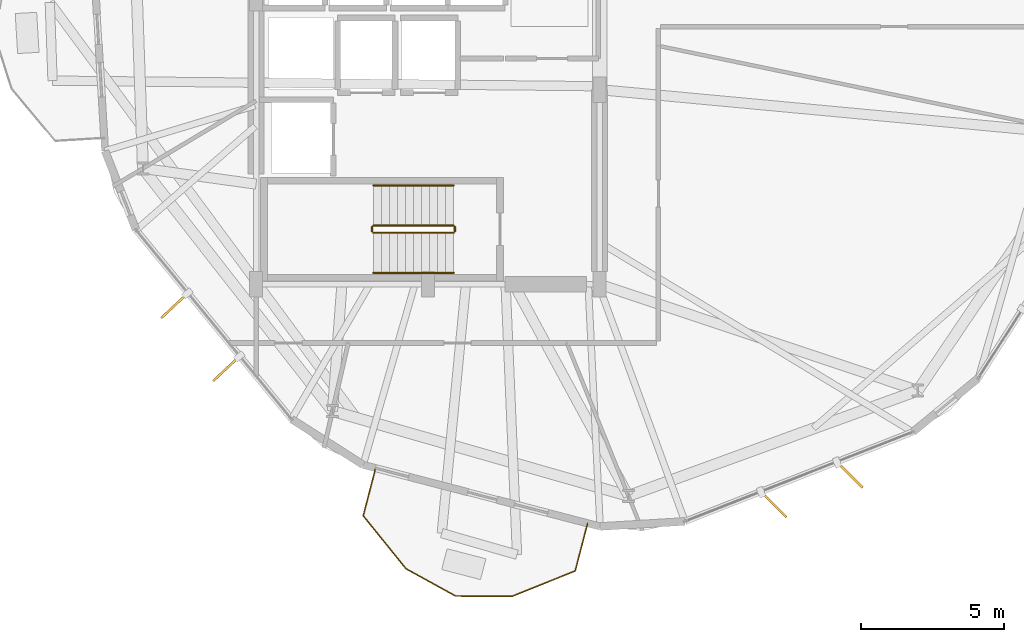
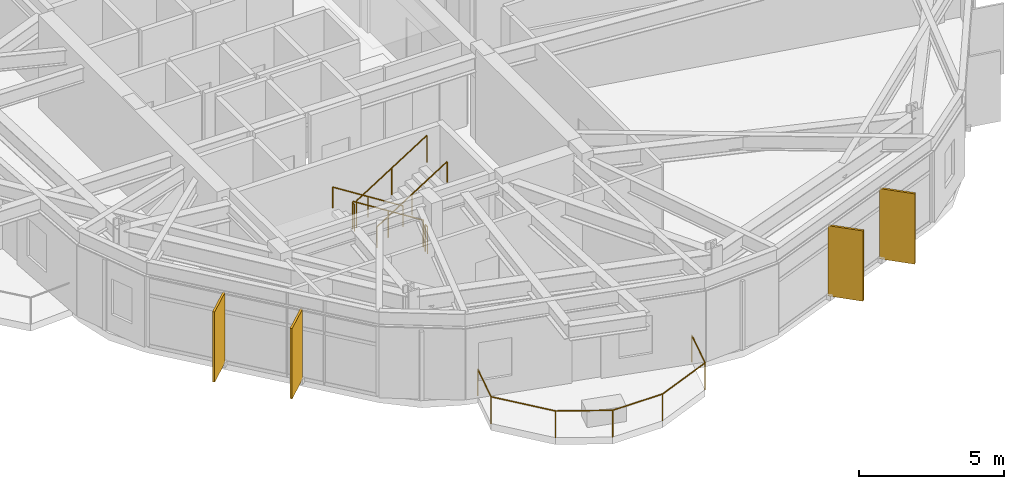
# One storey, part 20 of 22: 7 railings, 4 shading devices.
"""IFC4 building model written with IfcOpenShell, lengths in metres."""

from ifc_helpers import new_model, si_unit, direction, frame, origin, origin_2d, place, context, subcontext, project, spatial, rectangle, circle, extrude, material, layer, layer_set, type_object, element, save


model = new_model("IFC4")

# Units and contexts
model_context = context("Model", 3, precision=1e-05, world=origin(), true_north=direction((0.0, 1.0)))
body_context = subcontext(model_context, "Body", "Model", "MODEL_VIEW")
ifc_project = project(units=[si_unit("LENGTHUNIT", "METRE"), si_unit("AREAUNIT", "SQUARE_METRE"), si_unit("VOLUMEUNIT", "CUBIC_METRE"), si_unit("PLANEANGLEUNIT", "RADIAN"), si_unit("MASSUNIT", "GRAM", prefix="KILO")], contexts=[model_context])

# Site, building, storey
site_placement = place(None, origin())
site = spatial("IfcSite", under=ifc_project, at=site_placement, CompositionType="ELEMENT")
building_placement = place(site_placement, origin())
building = spatial("IfcBuilding", under=site, at=building_placement, Name="Soratama Intermodal Tower", CompositionType="ELEMENT")
storey_placement = place(building_placement, frame((0.0, 0.0, 110.800048828125)))
storey = spatial("IfcBuildingStorey", under=building, at=storey_placement, Name="L26", CompositionType="ELEMENT", Elevation=110.800048828125)

# Railings
ifc_material_1 = material(Name="Laminated glass and stainless steel balustrade", Category="steel")
railing_type_1 = type_object("IfcRailingType", Name="RL-BAL-1150", PredefinedType="BALUSTRADE", material=ifc_material_1)
railing_1_placement = place(storey_placement, frame((44.181884765625, 6.653076171875, 0.0)))
element("IfcRailing", 1, at=railing_1_placement, inside=storey, type_object=railing_type_1, Name="L26 Balcony Balustrade 3", PredefinedType="BALUSTRADE", context=body_context, shape_type="SweptSolid", body=[
    extrude(circle(Radius=0.02392578125, at=origin_2d()), frame((0.0, 0.0, 1.1259765625), z_axis=(-0.251774763662, -0.967785858743, 0.0), x_axis=(0.967785858743, -0.251774763662, 0.0)), (0.0, 0.0, 1.0), 1.72021484375),
    extrude(circle(Radius=0.02392578125, at=origin_2d()), frame((-0.43310546875, -1.664794921875, 1.1259765625), z_axis=(-0.927788840012, -0.37310570667, 0.0), x_axis=(0.37310570667, -0.927788840012, 0.0)), (0.0, 0.0, 1.0), 2.3798828125),
    extrude(circle(Radius=0.02392578125, at=origin_2d()), frame((-2.64111328125, -2.552734375, 1.1259765625), z_axis=(-0.99998010038, 0.006308632499, 0.0), x_axis=(-0.006308632499, -0.99998010038, 0.0)), (0.0, 0.0, 1.0), 1.9736328125),
    extrude(circle(Radius=0.02392578125, at=origin_2d()), frame((-4.61474609375, -2.540283203125, 1.1259765625), z_axis=(-0.876307291525, 0.481752561819, 0.0), x_axis=(-0.481752561819, -0.876307291525, 0.0)), (0.0, 0.0, 1.0), 1.973876953125),
    extrude(circle(Radius=0.02392578125, at=origin_2d()), frame((-6.344482421875, -1.58935546875, 1.1259765625), z_axis=(-0.628353822328, 0.777927679136, 0.0), x_axis=(-0.777927679136, -0.628353822328, 0.0)), (0.0, 0.0, 1.0), 2.3798828125),
    extrude(circle(Radius=0.02392578125, at=origin_2d()), frame((-7.83984375, 0.261962890625, 1.1259765625), z_axis=(0.251676399132, 0.967811443474, 0.0), x_axis=(-0.967811443474, 0.251676399132, 0.0)), (0.0, 0.0, 1.0), 1.719970703125),
    extrude(circle(Radius=0.02099609375, at=origin_2d()), origin(), (0.0, 0.0, 1.0), 1.101806640625),
    extrude(circle(Radius=0.02099609375, at=origin_2d()), frame((-0.43310546875, -1.664794921875, 0.0)), (0.0, 0.0, 1.0), 1.101806640625),
    extrude(circle(Radius=0.02099609375, at=origin_2d()), frame((-2.64111328125, -2.552734375, 0.0)), (0.0, 0.0, 1.0), 1.101806640625),
    extrude(circle(Radius=0.02099609375, at=origin_2d()), frame((-4.61474609375, -2.540283203125, 0.0)), (0.0, 0.0, 1.0), 1.101806640625),
    extrude(circle(Radius=0.02099609375, at=origin_2d()), frame((-6.344482421875, -1.58935546875, 0.0)), (0.0, 0.0, 1.0), 1.101806640625),
    extrude(circle(Radius=0.02099609375, at=origin_2d()), frame((-7.83984375, 0.261962890625, 0.0)), (0.0, 0.0, 1.0), 1.101806640625),
    extrude(circle(Radius=0.02099609375, at=origin_2d()), frame((-7.406982421875, 1.926513671875, 0.0)), (0.0, 0.0, 1.0), 1.101806640625),
])
ifc_material_2 = material(Name="Painted steel stair guardrail", Category="steel")
railing_type_2 = type_object("IfcRailingType", Name="RL-STAIR-GUARD", PredefinedType="GUARDRAIL", material=ifc_material_2)
railing_2_placement = place(storey_placement, frame((39.5, 17.050048828125, 0.17724609375)))
element("IfcRailing", 2, at=railing_2_placement, inside=storey, type_object=railing_type_2, Name="L26 ST-1 stair guard 1", PredefinedType="GUARDRAIL", context=body_context, shape_type="SweptSolid", body=[
    extrude(circle(Radius=0.02392578125, at=origin_2d()), frame((0.0, 0.0, 1.1259765625), z_axis=(-0.844908973607, 0.0, 0.534910110503), x_axis=(0.0, -1.0, 0.0)), (0.0, 0.0, 1.0), 3.31396484375),
    extrude(circle(Radius=0.02099609375, at=origin_2d()), origin(), (0.0, 0.0, 1.0), 1.101806640625),
    extrude(circle(Radius=0.02099609375, at=origin_2d()), frame((-1.39990234375, 0.0, 0.88623046875)), (0.0, 0.0, 1.0), 1.101806640625),
    extrude(circle(Radius=0.02099609375, at=origin_2d()), frame((-2.800048828125, 0.0, 1.772705078125)), (0.0, 0.0, 1.0), 1.101806640625),
])
railing_3_placement = place(storey_placement, frame((36.64990234375, 17.0, 1.949951171875)))
element("IfcRailing", 3, at=railing_3_placement, inside=storey, type_object=railing_type_2, Name="L26 ST-1 stair guard 2", PredefinedType="GUARDRAIL", context=body_context, shape_type="SweptSolid", body=[
    extrude(circle(Radius=0.02392578125, at=origin_2d()), frame((0.0, 0.0, 1.1259765625), z_axis=(0.0, -1.0, 0.0), x_axis=(1.0, 0.0, 0.0)), (0.0, 0.0, 1.0), 0.14990234375),
    extrude(circle(Radius=0.02099609375, at=origin_2d()), origin(), (0.0, 0.0, 1.0), 1.101806640625),
    extrude(circle(Radius=0.02099609375, at=origin_2d()), frame((0.0, -0.14990234375, 0.0)), (0.0, 0.0, 1.0), 1.101806640625),
])
railing_4_placement = place(storey_placement, frame((36.699951171875, 16.800048828125, 2.127197265625)))
element("IfcRailing", 4, at=railing_4_placement, inside=storey, type_object=railing_type_2, Name="L26 ST-1 stair guard 3", PredefinedType="GUARDRAIL", context=body_context, shape_type="SweptSolid", body=[
    extrude(circle(Radius=0.02392578125, at=origin_2d()), frame((0.0, 0.0, 1.1259765625), z_axis=(0.844908973607, 0.0, 0.534910110503), x_axis=(0.0, 1.0, 0.0)), (0.0, 0.0, 1.0), 3.31396484375),
    extrude(circle(Radius=0.02099609375, at=origin_2d()), origin(), (0.0, 0.0, 1.0), 1.101806640625),
    extrude(circle(Radius=0.02099609375, at=origin_2d()), frame((1.39990234375, 0.0, 0.88623046875)), (0.0, 0.0, 1.0), 1.101806640625),
    extrude(circle(Radius=0.02099609375, at=origin_2d()), frame((2.800048828125, 0.0, 1.772705078125)), (0.0, 0.0, 1.0), 1.101806640625),
])
railing_5_placement = place(storey_placement, frame((39.550048828125, 17.0, 0.0)))
element("IfcRailing", 5, at=railing_5_placement, inside=storey, type_object=railing_type_2, Name="L26 ST-1 stair guard 4", PredefinedType="GUARDRAIL", context=body_context, shape_type="SweptSolid", body=[
    extrude(circle(Radius=0.02392578125, at=origin_2d()), frame((0.0, 0.0, 1.1259765625), z_axis=(0.0, -1.0, 0.0), x_axis=(1.0, 0.0, 0.0)), (0.0, 0.0, 1.0), 0.14990234375),
    extrude(circle(Radius=0.02099609375, at=origin_2d()), origin(), (0.0, 0.0, 1.0), 1.101806640625),
    extrude(circle(Radius=0.02099609375, at=origin_2d()), frame((0.0, -0.14990234375, 0.0)), (0.0, 0.0, 1.0), 1.101806640625),
])
ifc_material_3 = material(Name="Brushed stainless steel handrail", Category="steel")
railing_type_3 = type_object("IfcRailingType", Name="RL-STAIR-HAND", PredefinedType="HANDRAIL", material=ifc_material_3)
railing_6_placement = place(storey_placement, frame((39.5, 18.449951171875, 0.17724609375)))
element("IfcRailing", 6, at=railing_6_placement, inside=storey, type_object=railing_type_3, Name="L26 ST-1 stair handrail 1", PredefinedType="HANDRAIL", context=body_context, shape_type="SweptSolid", body=[
    extrude(circle(Radius=0.02392578125, at=origin_2d()), frame((0.0, 0.0, 0.8759765625), z_axis=(-0.844908973607, 0.0, 0.534910110503), x_axis=(0.0, -1.0, 0.0)), (0.0, 0.0, 1.0), 3.31396484375),
    extrude(circle(Radius=0.02099609375, at=origin_2d()), origin(), (0.0, 0.0, 1.0), 0.851806640625),
    extrude(circle(Radius=0.02099609375, at=origin_2d()), frame((-1.39990234375, 0.0, 0.88623046875)), (0.0, 0.0, 1.0), 0.851806640625),
    extrude(circle(Radius=0.02099609375, at=origin_2d()), frame((-2.800048828125, 0.0, 1.772705078125)), (0.0, 0.0, 1.0), 0.851806640625),
])
railing_7_placement = place(storey_placement, frame((36.699951171875, 15.39990234375, 2.127197265625)))
element("IfcRailing", 7, at=railing_7_placement, inside=storey, type_object=railing_type_3, Name="L26 ST-1 stair handrail 2", PredefinedType="HANDRAIL", context=body_context, shape_type="SweptSolid", body=[
    extrude(circle(Radius=0.02392578125, at=origin_2d()), frame((0.0, 0.0, 0.8759765625), z_axis=(0.844908973607, 0.0, 0.534910110503), x_axis=(0.0, 1.0, 0.0)), (0.0, 0.0, 1.0), 3.31396484375),
    extrude(circle(Radius=0.02099609375, at=origin_2d()), origin(), (0.0, 0.0, 1.0), 0.851806640625),
    extrude(circle(Radius=0.02099609375, at=origin_2d()), frame((1.39990234375, 0.0, 0.88623046875)), (0.0, 0.0, 1.0), 0.851806640625),
    extrude(circle(Radius=0.02099609375, at=origin_2d()), frame((2.800048828125, 0.0, 1.772705078125)), (0.0, 0.0, 1.0), 0.851806640625),
])

# Shading devices
ifc_material_4 = material(Name="Champagne anodised aluminium solar fin", Category="aluminium")
ifc_layer = layer(ifc_material_4, 0.080078125)
ifc_layer_set = layer_set([ifc_layer], Name="Champagne anodised aluminium solar fin")
shading_device_type = type_object("IfcShadingDeviceType", Name="SH-FIN-1250", PredefinedType="USERDEFINED", material=ifc_layer_set)
for number, where, z_axis, x_axis, name in (
    (8, (29.748291015625, 14.25390625, 0.02001953125), (0.0, 0.0, 1.0), (-0.729326955506, -0.684165325029, 0.0), "L26 Solar Fin F06-1"),
    (9, (31.558837890625, 12.051513671875, 0.02001953125), (0.0, 0.0, 1.0), (-0.729326955506, -0.684165325029, 0.0), "L26 Solar Fin F06-2"),
    (10, (50.689697265625, 7.302734375, 0.02001953125), (0.0, 0.0, 1.0), (0.708586190225, -0.705624270432, 0.0), "L26 Solar Fin F08-1"),
    (11, (53.343994140625, 8.343994140625, 0.02001953125), (0.0, 0.0, 1.0), (0.708586190225, -0.705624270432, 0.0), "L26 Solar Fin F08-2"),
):
    element("IfcShadingDevice", number, at=place(storey_placement, frame(where, z_axis=z_axis, x_axis=x_axis)), inside=storey, type_object=shading_device_type, Name=name, ObjectType="FIN", PredefinedType="USERDEFINED", context=body_context, shape_type="SweptSolid", body=[
        extrude(rectangle(XDim=1.25, YDim=0.080078125, at=origin_2d()), origin(), (0.0, 0.0, 1.0), 2.958984375),
    ])

save(model, "model.ifc")
